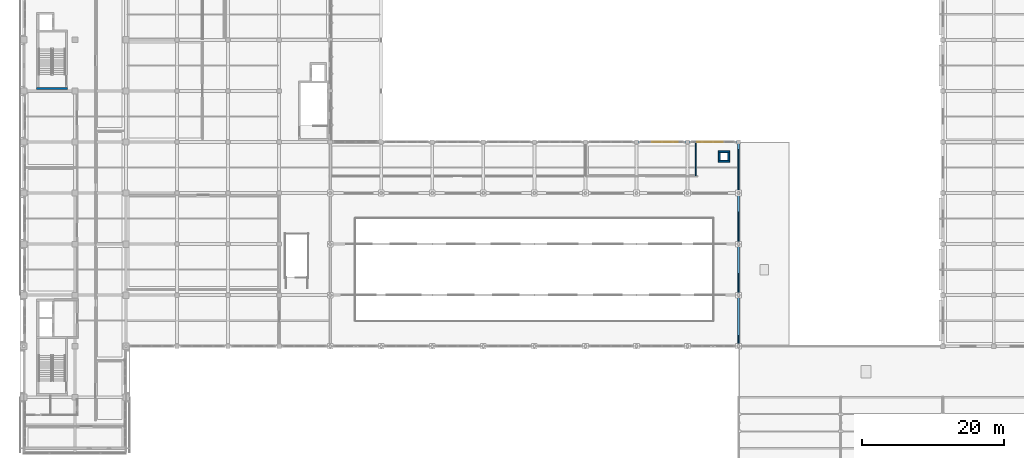
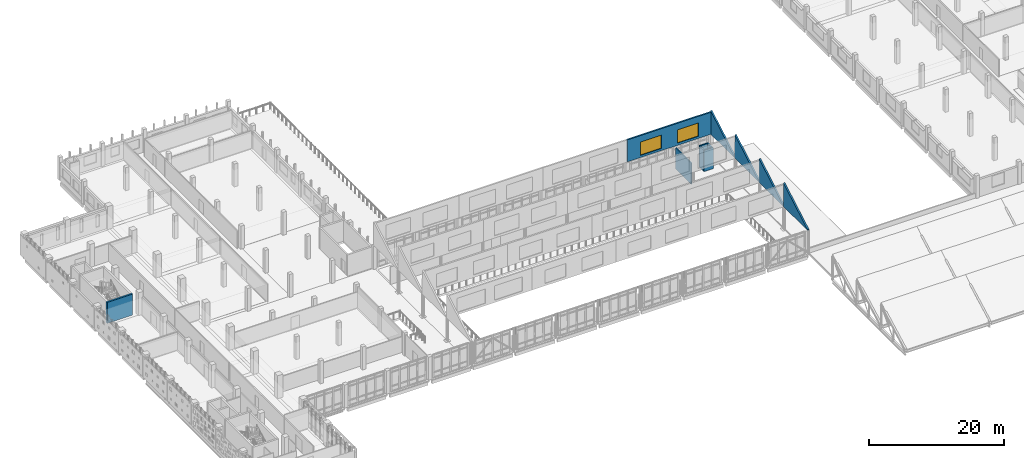
# One storey, part 43 of 62: 11 walls, 2 windows, 2 openings.
"""IFC4 building model written with IfcOpenShell, lengths in metres."""

import ifcopenshell
import ifcopenshell.guid

model = None  # the IFC model being written
_history = None  # IfcOwnerHistory: only IFC2X3 demands one
_inside = {}  # id of a spatial element -> (the spatial element, [elements in it])
_under = {}  # id of a project, library or spatial element -> (it, [spatial elements below it])
_declared = {}  # id of a project -> (the project, [libraries it declares])
_typed = {}  # id of a type object -> (the type object, [elements of that type])
_made_of = {}  # id of a material, layer set ... -> (it, [elements and type objects made of it])


def new_model(schema):
    """Start an empty IFC model of exactly this schema.

    Asked for "IFC4X3", IfcOpenShell would pick the latest addendum, in which some entities
    have other attributes; the version numbers below select the first issue.
    IFC2X3 requires an IfcOwnerHistory on every rooted entity: one is made here for all.
    """
    global model, _history
    if schema == "IFC4X3":
        model = ifcopenshell.file(schema_version=(4, 3, 0, 0))
    else:
        model = ifcopenshell.file(schema=schema)
    _inside.clear()
    _under.clear()
    _declared.clear()
    _typed.clear()
    _made_of.clear()
    _history = None
    if model.schema == "IFC2X3":
        org = make("IfcOrganization", Name="unknown")
        user = make(
            "IfcPersonAndOrganization",
            ThePerson=make("IfcPerson", FamilyName="unknown"),
            TheOrganization=org,
        )
        app = make(
            "IfcApplication",
            ApplicationDeveloper=org,
            Version="unknown",
            ApplicationFullName="unknown",
            ApplicationIdentifier="unknown",
        )
        _history = make(
            "IfcOwnerHistory",
            OwningUser=user,
            OwningApplication=app,
            ChangeAction="ADDED",
            CreationDate=0,
        )
    return model


def make(cls, **values):
    """One entity of the class cls with the attributes given. An attribute that is None is left unset."""
    return model.create_entity(
        cls, **{name: value for name, value in values.items() if value is not None}
    )


def rooted(cls, **values):
    """An entity with a GlobalId (a new one), such as an element, a storey or a relation."""
    return make(cls, GlobalId=ifcopenshell.guid.new(), OwnerHistory=_history, **values)


def si_unit(unit_type, name, prefix=None):
    """IfcSIUnit, for example si_unit("LENGTHUNIT", "METRE", prefix="MILLI")."""
    return make("IfcSIUnit", UnitType=unit_type, Prefix=prefix, Name=name)


def assignment(units):
    """IfcUnitAssignment: the units of a project."""
    return None if units is None else make("IfcUnitAssignment", Units=units)


def point(xyz):
    """IfcCartesianPoint."""
    return None if xyz is None else make("IfcCartesianPoint", Coordinates=xyz)


def direction(xyz):
    """IfcDirection."""
    return None if xyz is None else make("IfcDirection", DirectionRatios=xyz)


def frame(location, z_axis=None, x_axis=None):
    """IfcAxis2Placement3D, a coordinate frame: its origin and axes. An axis left out is left unset."""
    return make(
        "IfcAxis2Placement3D",
        Location=point(location),
        Axis=direction(z_axis),
        RefDirection=direction(x_axis),
    )


def frame_2d(location, x_axis=None):
    """IfcAxis2Placement2D, a coordinate frame in the plane: its origin and x axis."""
    return make(
        "IfcAxis2Placement2D", Location=point(location), RefDirection=direction(x_axis)
    )


def origin():
    """The frame at (0, 0, 0) with its axes left unset."""
    return frame((0.0, 0.0, 0.0))


def place(relative_to, where):
    """IfcLocalPlacement: puts the frame where relative to a parent placement (None: the world)."""
    return make(
        "IfcLocalPlacement", PlacementRelTo=relative_to, RelativePlacement=where
    )


def context(
    kind, dimensions, precision=None, world=None, true_north=None, identifier=None
):
    """IfcGeometricRepresentationContext, for example the 3D "Model" context."""
    return make(
        "IfcGeometricRepresentationContext",
        ContextIdentifier=identifier,
        ContextType=kind,
        CoordinateSpaceDimension=dimensions,
        Precision=precision,
        WorldCoordinateSystem=world,
        TrueNorth=true_north,
    )


def subcontext(parent, identifier, kind, view, scale=None):
    """IfcGeometricRepresentationSubContext, for example "Body" below "Model"."""
    return make(
        "IfcGeometricRepresentationSubContext",
        ContextIdentifier=identifier,
        ContextType=kind,
        ParentContext=parent,
        TargetScale=scale,
        TargetView=view,
    )


def project(units=None, contexts=None):
    """IfcProject with its units and contexts."""
    return rooted(
        "IfcProject",
        Name="project",
        RepresentationContexts=contexts,
        UnitsInContext=assignment(units),
    )


def spatial(cls, under=None, at=None, **own):
    """A site, building, storey or space (cls), placed at a placement, below another one or the project."""
    s = rooted(cls, ObjectPlacement=at, **own)
    if under is not None:
        _under.setdefault(under.id(), (under, []))[1].append(s)
    return s


def polyline(points):
    """IfcPolyline through the points."""
    return make("IfcPolyline", Points=[point(p) for p in points])


def profile(cls, at=None, kind="AREA", **sizes):
    """A parametric profile (cls). Its sizes go by their IFC names, for example OverallWidth=200.0."""
    return make(cls, ProfileType=kind, Position=at, **sizes)


def rectangle(**sizes):
    """IfcRectangleProfileDef."""
    return profile("IfcRectangleProfileDef", **sizes)


def outline(outer, holes=None, kind="AREA"):
    """IfcArbitraryClosedProfileDef: a profile drawn as a closed curve; with holes, ...WithVoids."""
    if holes is None:
        return make("IfcArbitraryClosedProfileDef", ProfileType=kind, OuterCurve=outer)
    return make(
        "IfcArbitraryProfileDefWithVoids",
        ProfileType=kind,
        OuterCurve=outer,
        InnerCurves=holes,
    )


def extrude(swept, where, along, depth):
    """IfcExtrudedAreaSolid: the profile swept, set in the frame where, extruded along a direction by depth."""
    return make(
        "IfcExtrudedAreaSolid",
        SweptArea=swept,
        Position=where,
        ExtrudedDirection=direction(along),
        Depth=depth,
    )


def shape(context_of_items, identifier, shape_type, items):
    """IfcShapeRepresentation: the items that make up one representation, for example the "Body"."""
    return make(
        "IfcShapeRepresentation",
        ContextOfItems=context_of_items,
        RepresentationIdentifier=identifier,
        RepresentationType=shape_type,
        Items=items,
    )


def material(Name=None, Category=None):
    """IfcMaterial."""
    return make("IfcMaterial", Name=Name, Category=Category)


def layer(
    of_material, thickness, ventilated=None, Name=None, Category=None, Priority=None
):
    """IfcMaterialLayer: one layer of a wall or slab, of a material (None: an air gap)."""
    return make(
        "IfcMaterialLayer",
        Material=of_material,
        LayerThickness=thickness,
        IsVentilated=ventilated,
        Name=Name,
        Category=Category,
        Priority=Priority,
    )


def layer_set(layers, Name=None):
    """IfcMaterialLayerSet."""
    return make("IfcMaterialLayerSet", MaterialLayers=layers, LayerSetName=Name)


def made_of(thing, what):
    """Note that an element or type object is made of a material, layer set ...; save() writes the relation."""
    if what is not None:
        _made_of.setdefault(what.id(), (what, []))[1].append(thing)
    return thing


def type_object(cls, material=None, **own):
    """A type object (cls), such as IfcWallType, which elements share."""
    return made_of(rooted(cls, **own), material)


def element(
    cls,
    number,
    at=None,
    inside=None,
    cuts=None,
    type_object=None,
    material=None,
    context=None,
    identifier="Body",
    shape_type=None,
    held_by="IfcProductDefinitionShape",
    body=None,
    shapes=None,
    **own,
):
    """One element of the class cls, such as IfcWall. Its Tag is "e" and its number.

    at: its placement. inside: the storey or other place that contains it. cuts: it is an
    opening in that element (IfcRelVoidsElement). A single representation is given by context,
    identifier, shape_type and body (its items); several are given by shapes. held_by: the class
    of the entity that holds the representations. save() writes the other relations.
    """
    e = rooted(cls, Tag="e%d" % number, ObjectPlacement=at, **own)
    if body is not None:
        shapes = [shape(context, identifier, shape_type, body)]
    if shapes is not None:
        e.Representation = make(held_by, Representations=shapes)
    if inside is not None:
        _inside.setdefault(inside.id(), (inside, []))[1].append(e)
    if cuts is not None:
        rooted(
            "IfcRelVoidsElement", RelatingBuildingElement=cuts, RelatedOpeningElement=e
        )
    if type_object is not None:
        _typed.setdefault(type_object.id(), (type_object, []))[1].append(e)
    return made_of(e, material)


def fill(opening, filler):
    """IfcRelFillsElement: the door or window that sits in an opening."""
    return rooted(
        "IfcRelFillsElement",
        RelatingOpeningElement=opening,
        RelatedBuildingElement=filler,
    )


def aggregate(whole, parts):
    """IfcRelAggregates: a whole, such as a stair, and the parts it consists of."""
    return rooted("IfcRelAggregates", RelatingObject=whole, RelatedObjects=parts)


def save(model, path):
    """Write the relations noted so far, then the file.

    IfcRelAggregates (storeys below a building ...), IfcRelContainedInSpatialStructure (elements
    in a storey), IfcRelDefinesByType, IfcRelAssociatesMaterial and IfcRelDeclares: one each for
    every whole, place, type object, material and project.
    """
    for whole, parts in _under.values():
        aggregate(whole, parts)
    for where, things in _inside.values():
        rooted(
            "IfcRelContainedInSpatialStructure",
            RelatedElements=things,
            RelatingStructure=where,
        )
    for kind, things in _typed.values():
        rooted("IfcRelDefinesByType", RelatedObjects=things, RelatingType=kind)
    for what, things in _made_of.values():
        rooted("IfcRelAssociatesMaterial", RelatedObjects=things, RelatingMaterial=what)
    for by, libraries in _declared.values():
        rooted("IfcRelDeclares", RelatingContext=by, RelatedDefinitions=libraries)
    model.write(path)


model = new_model("IFC4")

# Units and contexts
model_context = context("Model", 3, precision=1e-05, world=origin(), true_north=direction((0.0, 1.0)))
body_context = subcontext(model_context, "Body", "Model", "MODEL_VIEW")
ifc_project = project(units=[si_unit("LENGTHUNIT", "METRE"), si_unit("AREAUNIT", "SQUARE_METRE"), si_unit("VOLUMEUNIT", "CUBIC_METRE"), si_unit("PLANEANGLEUNIT", "RADIAN"), si_unit("MASSUNIT", "GRAM", prefix="KILO")], contexts=[model_context])

# Site, building, storey
site_placement = place(None, origin())
site = spatial("IfcSite", under=ifc_project, at=site_placement, CompositionType="ELEMENT")
building_placement = place(site_placement, origin())
building = spatial("IfcBuilding", under=site, at=building_placement, Name="Valkovuoma Quantum and Materials Research Institute", CompositionType="ELEMENT")
storey_placement = place(building_placement, frame((0.0, 0.0, 13.1201171875)))
storey = spatial("IfcBuildingStorey", under=building, at=storey_placement, Name="L03", CompositionType="ELEMENT", Elevation=13.1201171875)

# Walls
ifc_material_1 = material(Name="Concrete C40/50", Category="concrete")
ifc_layer_1 = layer(ifc_material_1, 0.300048828125)
ifc_layer_set_1 = layer_set([ifc_layer_1], Name="Concrete C40/50")
wall_type_1 = type_object("IfcWallType", Name="Wall-W-COR300", PredefinedType="SHEAR", material=ifc_layer_set_1)
wall_1_placement = place(storey_placement, frame((1.800048828125, 72.35009765625, 0.0), z_axis=(0.0, 0.0, 1.0), x_axis=(1.0, 0.0, 0.0)))
element("IfcWall", 1, at=wall_1_placement, inside=storey, type_object=wall_type_1, Name="L03 core wall 0150", PredefinedType="SHEAR", context=body_context, shape_type="SweptSolid", body=[
    extrude(rectangle(XDim=4.349853515625, YDim=0.300048828125, at=frame_2d((2.1748046875, 0.0))), origin(), (0.0, 0.0, 1.0), 3.809814453125),
])
ifc_material_2 = material(Name="Precast concrete C40/50", Category="concrete")
ifc_layer_2 = layer(ifc_material_2, 0.260009765625)
ifc_layer_set_2 = layer_set([ifc_layer_2], Name="Precast concrete C40/50")
wall_type_2 = type_object("IfcWallType", Name="Wall-W-GAB260", PredefinedType="SOLIDWALL", material=ifc_layer_set_2)
for number, where, z_axis, x_axis, name in (
    (2, (100.800048828125, 36.0, 4.159912109375), (0.0, 0.0, 1.0), (0.0, 1.0, 0.0), "L03 VOL2 sawtooth cheek wall 1E"),
    (3, (100.800048828125, 43.199951171875, 4.159912109375), (0.0, 0.0, 1.0), (0.0, 1.0, 0.0), "L03 VOL2 sawtooth cheek wall 2E"),
):
    element("IfcWall", number, at=place(storey_placement, frame(where, z_axis=z_axis, x_axis=x_axis)), inside=storey, type_object=wall_type_2, Name=name, PredefinedType="SOLIDWALL", context=body_context, shape_type="SweptSolid", body=[
        extrude(outline(polyline([(0.0, 0.0), (7.199951171875, 0.0), (7.199951171875, 0.119873046875), (7.159912109375, 4.239990234375), (0.0, 0.119873046875), (0.0, 0.0)])), frame((0.0, 0.1298828125, 0.0), z_axis=(0.0, -1.0, 0.0), x_axis=(1.0, 0.0, 0.0)), (0.0, 0.0, 1.0), 0.260009765625),
    ])
wall_2_placement = place(storey_placement, frame((100.800048828125, 50.39990234375, 4.159912109375), z_axis=(0.0, 0.0, 1.0), x_axis=(0.0, 1.0, 0.0)))
element("IfcWall", 4, at=wall_2_placement, inside=storey, type_object=wall_type_2, Name="L03 VOL2 sawtooth cheek wall 3E", PredefinedType="SOLIDWALL", context=body_context, shape_type="SweptSolid", body=[
    extrude(outline(polyline([(0.0, 0.0), (7.2001953125, 0.0), (7.199951171875, 0.119873046875), (7.159912109375, 4.239990234375), (0.0, 0.119873046875), (0.0, 0.0)])), frame((0.0, 0.1298828125, 0.0), z_axis=(0.0, -1.0, 0.0), x_axis=(1.0, 0.0, 0.0)), (0.0, 0.0, 1.0), 0.260009765625),
])

# Wall, openings, windows
wall_3_placement = place(storey_placement, frame((86.39990234375, 64.800048828125, 4.159912109375), z_axis=(0.0, 0.0, 1.0), x_axis=(1.0, 0.0, 0.0)))
wall_3 = element("IfcWall", 5, at=wall_3_placement, inside=storey, type_object=wall_type_2, Name="L03 exterior wall 0421", PredefinedType="SOLIDWALL", context=body_context, shape_type="SweptSolid", body=[
    extrude(rectangle(XDim=14.400146484375, YDim=0.260009765625, at=frame_2d((7.2001953125, 0.0))), origin(), (0.0, 0.0, 1.0), 3.989990234375),
])
opening_1_placement = place(wall_3_placement, frame((2.23193359375, 0.0, 0.39990234375)))
opening_1 = element("IfcOpeningElement", 6, at=opening_1_placement, cuts=wall_3, Name="Opening SKY-04", PredefinedType="OPENING", context=body_context, shape_type="SweptSolid", body=[
    extrude(rectangle(XDim=3.60009765625, YDim=2.39990234375, at=frame_2d((1.800048828125, 1.199951171875))), frame((0.0, 0.14013671875, 0.0), z_axis=(0.0, -1.0, 0.0), x_axis=(1.0, 0.0, 0.0)), (0.0, 0.0, 1.0), 0.280029296875),
])
opening_2_placement = place(wall_3_placement, frame((8.568115234375, 0.0, 0.39990234375)))
opening_2 = element("IfcOpeningElement", 7, at=opening_2_placement, cuts=wall_3, Name="Opening SKY-04", PredefinedType="OPENING", context=body_context, shape_type="SweptSolid", body=[
    extrude(rectangle(XDim=3.60009765625, YDim=2.39990234375, at=frame_2d((1.800048828125, 1.199951171875))), frame((0.0, 0.14013671875, 0.0), z_axis=(0.0, -1.0, 0.0), x_axis=(1.0, 0.0, 0.0)), (0.0, 0.0, 1.0), 0.280029296875),
])
ifc_material_3 = material(Name="Triple low-E laminated safety glass skylight", Category="glass")
window_type = type_object("IfcWindowType", Name="Win-SKY-04", PartitioningType="SINGLE_PANEL", PredefinedType="SKYLIGHT", material=ifc_material_3)
window_1_placement = place(opening_1_placement, origin())
window_1 = element("IfcWindow", 8, at=window_1_placement, inside=storey, type_object=window_type, Name="L03 window 0427", OverallHeight=2.39990234375, OverallWidth=3.60009765625, PartitioningType="SINGLE_PANEL", PredefinedType="SKYLIGHT", context=body_context, shape_type="SweptSolid", body=[
    extrude(rectangle(XDim=3.60009765625, YDim=2.39990234375, at=frame_2d((1.800048828125, 1.199951171875))), frame((0.0, 0.030029296875, 0.0), z_axis=(0.0, -1.0, 0.0), x_axis=(1.0, 0.0, 0.0)), (0.0, 0.0, 1.0), 0.06005859375),
])
fill(opening_1, window_1)
window_2_placement = place(opening_2_placement, origin())
window_2 = element("IfcWindow", 9, at=window_2_placement, inside=storey, type_object=window_type, Name="L03 window 0428", OverallHeight=2.39990234375, OverallWidth=3.60009765625, PartitioningType="SINGLE_PANEL", PredefinedType="SKYLIGHT", context=body_context, shape_type="SweptSolid", body=[
    extrude(rectangle(XDim=3.60009765625, YDim=2.39990234375, at=frame_2d((1.800048828125, 1.199951171875))), frame((0.0, 0.030029296875, 0.0), z_axis=(0.0, -1.0, 0.0), x_axis=(1.0, 0.0, 0.0)), (0.0, 0.0, 1.0), 0.06005859375),
])
fill(opening_2, window_2)

# Walls
wall_4_placement = place(storey_placement, frame((100.800048828125, 57.60009765625, 4.159912109375), z_axis=(0.0, 0.0, 1.0), x_axis=(0.0, 1.0, 0.0)))
element("IfcWall", 10, at=wall_4_placement, inside=storey, type_object=wall_type_2, Name="L03 VOL2 sawtooth cheek wall 4E", PredefinedType="SOLIDWALL", context=body_context, shape_type="SweptSolid", body=[
    extrude(outline(polyline([(0.0, 0.0), (7.199951171875, 0.0), (7.199951171875, 0.119873046875), (7.159912109375, 4.239990234375), (0.0, 0.119873046875), (0.0, 0.0)])), frame((0.0, 0.1298828125, 0.0), z_axis=(0.0, -1.0, 0.0), x_axis=(1.0, 0.0, 0.0)), (0.0, 0.0, 1.0), 0.260009765625),
])
ifc_material_4 = material(Name="Acoustic write-up studio partition", Category="masonry")
ifc_layer_3 = layer(ifc_material_4, 0.14990234375)
ifc_layer_set_3 = layer_set([ifc_layer_3], Name="Acoustic write-up studio partition")
wall_type_3 = type_object("IfcWallType", Name="Wall-W-PRT150", PredefinedType="PARTITIONING", material=ifc_layer_set_3)
wall_5_placement = place(storey_placement, frame((94.748046875, 60.074951171875, 0.0), z_axis=(0.0, 0.0, 1.0), x_axis=(0.0, 1.0, 0.0)))
element("IfcWall", 11, at=wall_5_placement, inside=storey, type_object=wall_type_3, Name="L03 partition 0162", PredefinedType="PARTITIONING", context=body_context, shape_type="SweptSolid", body=[
    extrude(rectangle(XDim=4.594970703125, YDim=0.14990234375, at=frame_2d((2.29736328125, 0.0))), origin(), (0.0, 0.0, 1.0), 3.809814453125),
])
ifc_material_5 = material(Name="Concrete C40/50", Category="concrete")
ifc_layer_4 = layer(ifc_material_5, 0.239990234375)
ifc_layer_set_4 = layer_set([ifc_layer_4], Name="Concrete C40/50")
wall_type_4 = type_object("IfcWallType", Name="Wall-W-SHF240", PredefinedType="SOLIDWALL", material=ifc_layer_set_4)
for number, where, z_axis, x_axis, name in (
    (12, (97.9599609375, 62.080078125, 0.0), (0.0, 0.0, 1.0), (1.0, 0.0, 0.0), "L03 core wall 0361"),
    (13, (97.9599609375, 63.419921875, 0.0), (0.0, 0.0, 1.0), (1.0, 0.0, 0.0), "L03 core wall 0362"),
):
    element("IfcWall", number, at=place(storey_placement, frame(where, z_axis=z_axis, x_axis=x_axis)), inside=storey, type_object=wall_type_4, Name=name, PredefinedType="SOLIDWALL", context=body_context, shape_type="SweptSolid", body=[
        extrude(rectangle(XDim=1.580078125, YDim=0.239990234375, at=frame_2d((0.7900390625, 0.0))), origin(), (0.0, 0.0, 1.0), 3.809814453125),
    ])
for number, where, z_axis, x_axis, name in (
    (14, (98.080078125, 62.199951171875, 0.0), (0.0, 0.0, 1.0), (0.0, 1.0, 0.0), "L03 core wall 0363"),
    (15, (99.419921875, 62.199951171875, 0.0), (0.0, 0.0, 1.0), (0.0, 1.0, 0.0), "L03 core wall 0364"),
):
    element("IfcWall", number, at=place(storey_placement, frame(where, z_axis=z_axis, x_axis=x_axis)), inside=storey, type_object=wall_type_4, Name=name, PredefinedType="SOLIDWALL", context=body_context, shape_type="SweptSolid", body=[
        extrude(rectangle(XDim=1.10009765625, YDim=0.239990234375, at=frame_2d((0.550048828125, 0.0))), origin(), (0.0, 0.0, 1.0), 3.809814453125),
    ])

save(model, "model.ifc")
